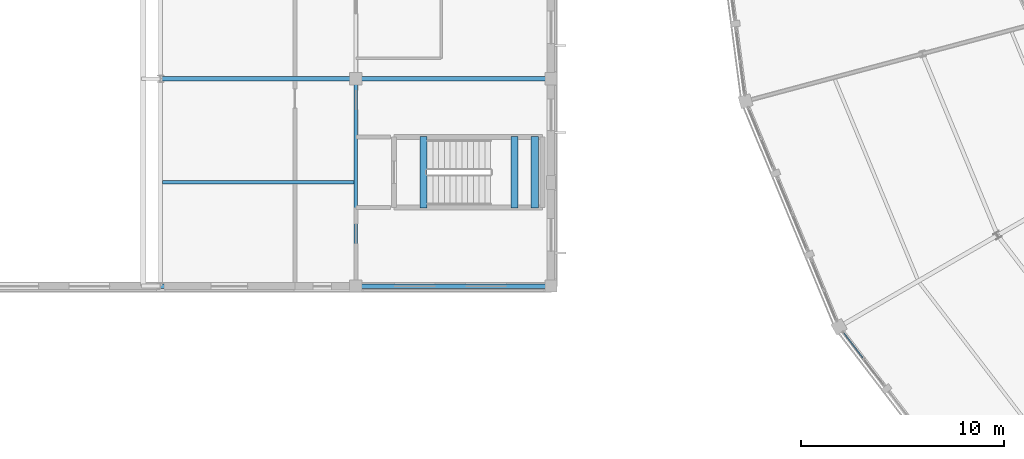
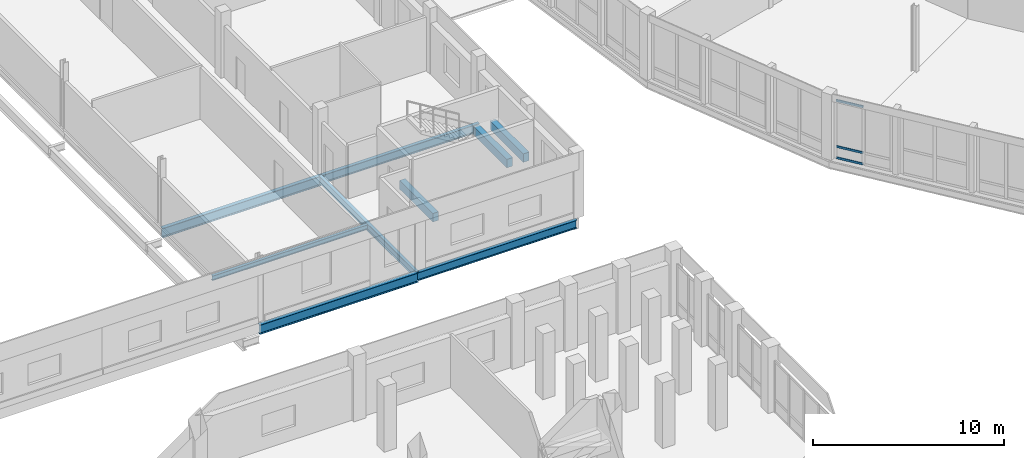
# One storey, part 28 of 170: 9 beams, 3 members, 1 element without a shape of its own.
"""IFC4 building model written with IfcOpenShell, lengths in metres."""

from ifc_helpers import new_model, si_unit, direction, frame, origin, origin_2d, place, context, subcontext, project, spatial, rectangle, hollow_rectangle, i_section, extrude, material, material_profile, profile_set, type_object, element, aggregate, save


model = new_model("IFC4")

# Units and contexts
model_context = context("Model", 3, precision=1e-05, world=origin(), true_north=direction((0.0, 1.0)))
body_context = subcontext(model_context, "Body", "Model", "MODEL_VIEW")
ifc_project = project(units=[si_unit("LENGTHUNIT", "METRE"), si_unit("AREAUNIT", "SQUARE_METRE"), si_unit("VOLUMEUNIT", "CUBIC_METRE"), si_unit("PLANEANGLEUNIT", "RADIAN"), si_unit("MASSUNIT", "GRAM", prefix="KILO")], contexts=[model_context])

# Site, building, storey
site_placement = place(None, origin())
site = spatial("IfcSite", under=ifc_project, at=site_placement, CompositionType="ELEMENT")
building_placement = place(site_placement, origin())
building = spatial("IfcBuilding", under=site, at=building_placement, Name="Vondelvale Polytechnic", CompositionType="ELEMENT")
storey_placement = place(building_placement, frame((0.0, 0.0, 5.39990234375)))
storey = spatial("IfcBuildingStorey", under=building, at=storey_placement, Name="L01", CompositionType="ELEMENT", Elevation=5.39990234375)

# Beams
ifc_material_1 = material(Name="Concrete N40 (f'c = 40 MPa)", Category="concrete")
ifc_material_profile_1 = material_profile(ifc_material_1, rectangle(XDim=0.35009765625, YDim=0.550048828125, at=origin_2d()), Name="RC-BM-350x550")
ifc_profile_set_1 = profile_set([ifc_material_profile_1], Name="Concrete N40 (f'c = 40 MPa)")
beam_type_1 = type_object("IfcBeamType", Name="BM-RC350x550", PredefinedType="BEAM", material=ifc_profile_set_1)
for number, where, z_axis, x_axis, name in (
    (1, (46.199951171875, 54.85009765625, 1.625), (0.0, 1.0, 0.0), (-1.0, 0.0, 0.0), "L01 STLD B-06"),
    (2, (47.199951171875, 54.85009765625, 1.625), (0.0, 1.0, 0.0), (-1.0, 0.0, 0.0), "L01 STLD B-06"),
    (3, (41.72509765625, 54.85009765625, -0.27490234375), (0.0, 1.0, 0.0), (-1.0, 0.0, 0.0), "L01 STHD B-06"),
):
    element("IfcBeam", number, at=place(storey_placement, frame(where, z_axis=z_axis, x_axis=x_axis)), inside=storey, type_object=beam_type_1, Name=name, PredefinedType="BEAM", context=body_context, shape_type="SweptSolid", body=[
        extrude(rectangle(XDim=0.35009765625, YDim=0.550048828125, at=origin_2d()), origin(), (0.0, 0.0, 1.0), 3.5),
    ])
ifc_material_2 = material(Name="Steel 300PLUS (fy = 300 MPa)", Category="steel")
ifc_material_profile_2 = material_profile(ifc_material_2, i_section(OverallWidth=0.18994140625, OverallDepth=0.45703125, WebThickness=0.009033203125, FlangeThickness=0.014404296875, FilletRadius=0.011474609375, at=origin_2d()), Name="460UB74.6")
ifc_profile_set_2 = profile_set([ifc_material_profile_2], Name="Steel 300PLUS (fy = 300 MPa)")
beam_type_2 = type_object("IfcBeamType", Name="BM-UB460", PredefinedType="BEAM", material=ifc_profile_set_2)
beam_1_placement = place(storey_placement, frame((38.39990234375, 51.0, -0.50830078125), z_axis=(0.0, 1.0, 0.0), x_axis=(-1.0, 0.0, 0.0)))
element("IfcBeam", 4, at=beam_1_placement, inside=storey, type_object=beam_type_2, Name="L01 B B-13", PredefinedType="BEAM", context=body_context, shape_type="SweptSolid", body=[
    extrude(i_section(OverallWidth=0.18994140625, OverallDepth=0.45703125, WebThickness=0.009033203125, FlangeThickness=0.014404296875, FilletRadius=0.011474609375, at=origin_2d()), origin(), (0.0, 0.0, 1.0), 10.199951171875),
])
ifc_material_profile_3 = material_profile(ifc_material_2, i_section(OverallWidth=0.208984375, OverallDepth=0.528076171875, WebThickness=0.009521484375, FlangeThickness=0.01318359375, FilletRadius=0.013916015625, at=origin_2d()), Name="530UB82.0")
ifc_profile_set_3 = profile_set([ifc_material_profile_3], Name="Steel 300PLUS (fy = 300 MPa)")
beam_type_3 = type_object("IfcBeamType", Name="BM-UB530L", PredefinedType="BEAM", material=ifc_profile_set_3)
for number, where, z_axis, x_axis, name in (
    (5, (38.39990234375, 51.0, -0.5439453125), (1.0, 0.0, 0.0), (0.0, 1.0, 0.0), "L01 B B-21"),
    (6, (38.39990234375, 61.199951171875, -0.5439453125), (1.0, 0.0, 0.0), (0.0, 1.0, 0.0), "L01 B B-21"),
):
    element("IfcBeam", number, at=place(storey_placement, frame(where, z_axis=z_axis, x_axis=x_axis)), inside=storey, type_object=beam_type_3, Name=name, PredefinedType="BEAM", context=body_context, shape_type="SweptSolid", body=[
        extrude(i_section(OverallWidth=0.208984375, OverallDepth=0.528076171875, WebThickness=0.009521484375, FlangeThickness=0.01318359375, FilletRadius=0.013916015625, at=origin_2d()), origin(), (0.0, 0.0, 1.0), 9.60009765625),
    ])
ifc_material_profile_4 = material_profile(ifc_material_2, i_section(OverallWidth=0.22802734375, OverallDepth=0.60693359375, WebThickness=0.01123046875, FlangeThickness=0.017333984375, FilletRadius=0.013916015625, at=origin_2d()), Name="610UB113")
ifc_profile_set_4 = profile_set([ifc_material_profile_4], Name="Steel 300PLUS (fy = 300 MPa)")
beam_type_4 = type_object("IfcBeamType", Name="BM-UB610M", PredefinedType="BEAM", material=ifc_profile_set_4)
for number, where, z_axis, x_axis, name in (
    (7, (28.800048828125, 51.0, -0.58349609375), (1.0, 0.0, 0.0), (0.0, 1.0, 0.0), "L01 B B-20"),
    (8, (28.800048828125, 61.199951171875, -0.58349609375), (1.0, 0.0, 0.0), (0.0, 1.0, 0.0), "L01 B B-20"),
):
    element("IfcBeam", number, at=place(storey_placement, frame(where, z_axis=z_axis, x_axis=x_axis)), inside=storey, type_object=beam_type_4, Name=name, PredefinedType="BEAM", context=body_context, shape_type="SweptSolid", body=[
        extrude(i_section(OverallWidth=0.22802734375, OverallDepth=0.60693359375, WebThickness=0.01123046875, FlangeThickness=0.017333984375, FilletRadius=0.013916015625, at=origin_2d()), origin(), (0.0, 0.0, 1.0), 9.599853515625),
    ])

# Curtain wall, members
ifc_material_3 = material(Name="Glulam GL18 structural Tasmanian oak (fb = 42 MPa)", Category="wood")
curtain_wall_type = type_object("IfcCurtainWallType", Name="CW-RING-OUTER", PredefinedType="NOTDEFINED", material=ifc_material_3)
curtain_wall_placement = place(storey_placement, origin())
curtain_wall = element("IfcCurtainWall", 9, at=curtain_wall_placement, inside=storey, type_object=curtain_wall_type, Name="L01 architectural curtain wall CW-04-299", PredefinedType="NOTDEFINED")
ifc_material_4 = material(Name="Anodised extruded aluminium 6063-T6", Category="aluminium")
ifc_material_profile_5 = material_profile(ifc_material_4, hollow_rectangle(XDim=0.06005859375, YDim=0.139892578125, WallThickness=0.00341796875, at=origin_2d()), Name="CW-TRN-140x60")
ifc_profile_set_5 = profile_set([ifc_material_profile_5], Name="Anodised extruded aluminium 6063-T6")
member_type = type_object("IfcMemberType", Name="CW-TRN-60x140", PredefinedType="USERDEFINED", material=ifc_profile_set_5)
member_1_placement = place(storey_placement, frame((62.40478515625, 48.684326171875, 0.030029296875), z_axis=(0.608923875222, -0.7932286645, 0.0), x_axis=(0.7932286645, 0.608923875222, 0.0)))
member_1 = element("IfcMember", 10, at=member_1_placement, type_object=member_type, Name="CW-04-299 transom 1.1", ObjectType="TRANSOM", PredefinedType="USERDEFINED", context=body_context, shape_type="SweptSolid", body=[
    extrude(hollow_rectangle(XDim=0.06005859375, YDim=0.139892578125, WallThickness=0.00341796875, at=origin_2d()), origin(), (0.0, 0.0, 1.0), 1.530029296875),
])
member_2_placement = place(storey_placement, frame((62.40478515625, 48.684326171875, 0.75), z_axis=(0.608923875222, -0.7932286645, 0.0), x_axis=(0.7932286645, 0.608923875222, 0.0)))
member_2 = element("IfcMember", 11, at=member_2_placement, type_object=member_type, Name="CW-04-299 transom 1.2", ObjectType="TRANSOM", PredefinedType="USERDEFINED", context=body_context, shape_type="SweptSolid", body=[
    extrude(hollow_rectangle(XDim=0.06005859375, YDim=0.139892578125, WallThickness=0.00341796875, at=origin_2d()), origin(), (0.0, 0.0, 1.0), 1.530029296875),
])
member_3_placement = place(storey_placement, frame((62.40478515625, 48.684326171875, 3.690185546875), z_axis=(0.608923875222, -0.7932286645, 0.0), x_axis=(0.7932286645, 0.608923875222, 0.0)))
member_3 = element("IfcMember", 12, at=member_3_placement, type_object=member_type, Name="CW-04-299 transom 1.3", ObjectType="TRANSOM", PredefinedType="USERDEFINED", context=body_context, shape_type="SweptSolid", body=[
    extrude(hollow_rectangle(XDim=0.06005859375, YDim=0.139892578125, WallThickness=0.00341796875, at=origin_2d()), origin(), (0.0, 0.0, 1.0), 1.530029296875),
])
aggregate(curtain_wall, [member_1, member_2, member_3])

# Beam
ifc_material_profile_6 = material_profile(ifc_material_2, i_section(OverallWidth=0.1650390625, OverallDepth=0.303955078125, WebThickness=0.006103515625, FlangeThickness=0.01025390625, FilletRadius=0.011474609375, at=origin_2d()), Name="310UB40.4")
ifc_profile_set_6 = profile_set([ifc_material_profile_6], Name="Steel 300PLUS (fy = 300 MPa)")
beam_type_5 = type_object("IfcBeamType", Name="JST-UB310", PredefinedType="JOIST", material=ifc_profile_set_6)
beam_2_placement = place(storey_placement, frame((28.89990234375, 56.10009765625, -0.431884765625), z_axis=(1.0, 0.0, 0.0), x_axis=(0.0, 1.0, 0.0)))
element("IfcBeam", 13, at=beam_2_placement, inside=storey, type_object=beam_type_5, Name="L01 J J-05", PredefinedType="JOIST", context=body_context, shape_type="SweptSolid", body=[
    extrude(i_section(OverallWidth=0.1650390625, OverallDepth=0.303955078125, WebThickness=0.006103515625, FlangeThickness=0.01025390625, FilletRadius=0.011474609375, at=origin_2d()), origin(), (0.0, 0.0, 1.0), 9.400146484375),
])

save(model, "model.ifc")
